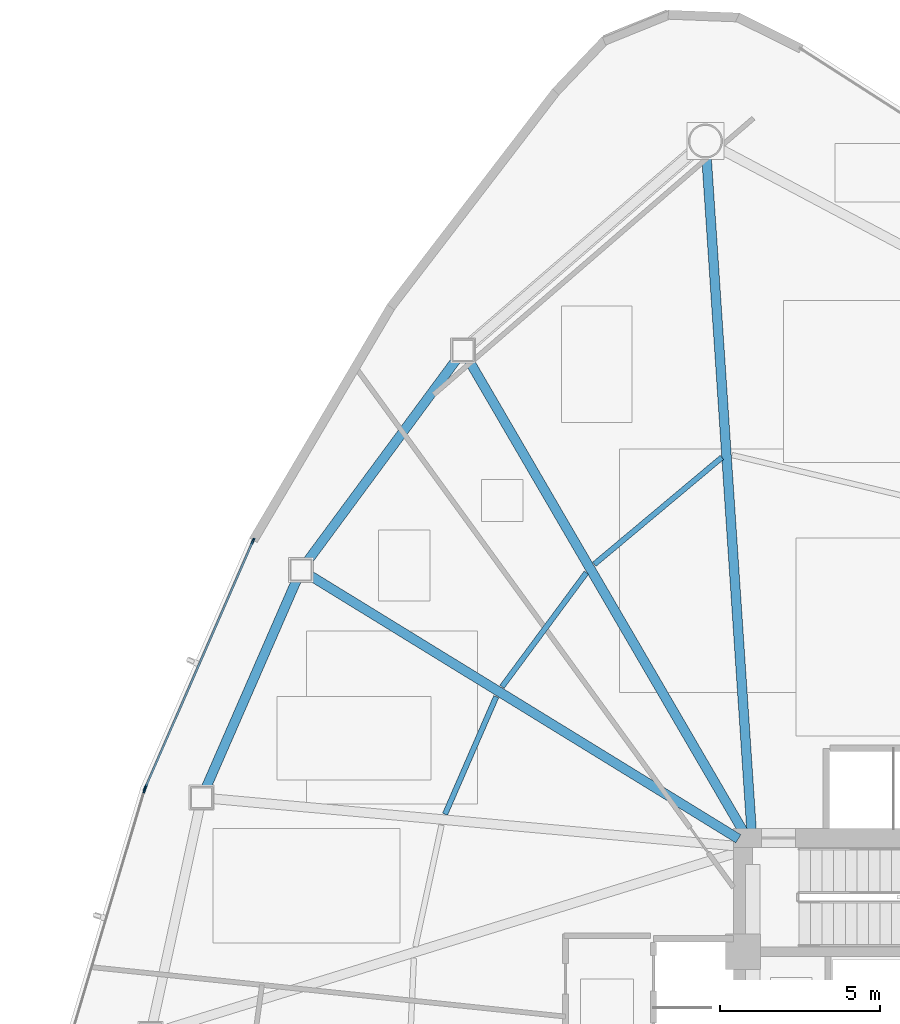
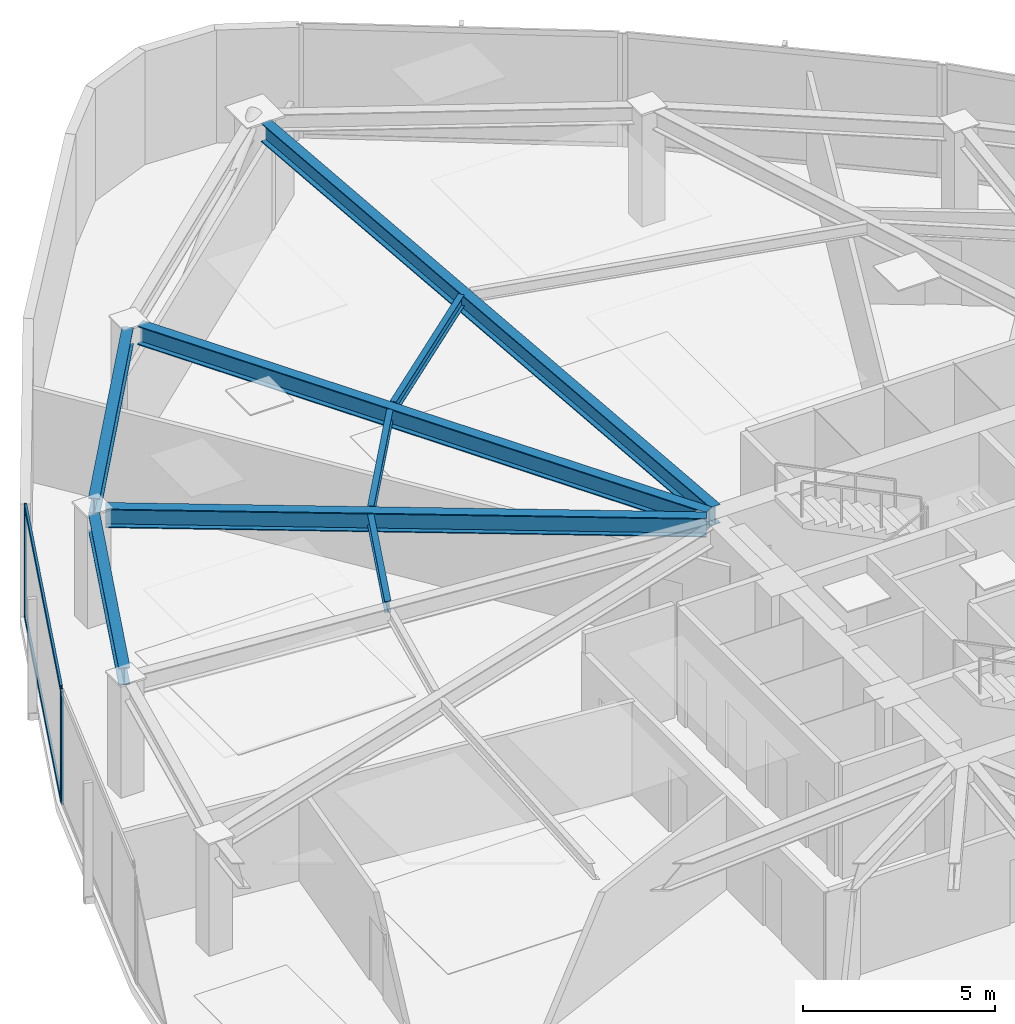
# One storey, part 7 of 17: 8 beams, 5 members, 2 elements without a shape of their own.
"""IFC4 building model written with IfcOpenShell, lengths in metres."""

from ifc_helpers import new_model, si_unit, direction, frame, origin, origin_2d, place, context, subcontext, project, spatial, hollow_rectangle, i_section, extrude, source, transform, mapped, material, layer, layer_set, material_profile, profile_set, type_object, type_shapes, element, aggregate, save


model = new_model("IFC4")

# Units and contexts
model_context = context("Model", 3, precision=1e-05, world=origin(), true_north=direction((0.0, 1.0)))
body_context = subcontext(model_context, "Body", "Model", "MODEL_VIEW")
ifc_project = project(units=[si_unit("LENGTHUNIT", "METRE"), si_unit("AREAUNIT", "SQUARE_METRE"), si_unit("VOLUMEUNIT", "CUBIC_METRE"), si_unit("PLANEANGLEUNIT", "RADIAN"), si_unit("MASSUNIT", "GRAM", prefix="KILO")], contexts=[model_context])

# Site, building, storey
site_placement = place(None, origin())
site = spatial("IfcSite", under=ifc_project, at=site_placement, CompositionType="ELEMENT")
building_placement = place(site_placement, origin())
building = spatial("IfcBuilding", under=site, at=building_placement, Name="Tavelor Broadcast Tower", CompositionType="ELEMENT")
storey_placement = place(building_placement, frame((0.0, 0.0, 66.60009765625)))
storey = spatial("IfcBuildingStorey", under=building, at=storey_placement, Name="L15", CompositionType="ELEMENT", Elevation=66.60009765625)

# Beams
ifc_material_1 = material(Name="Steel S355", Category="steel")
ifc_material_profile_1 = material_profile(ifc_material_1, i_section(OverallWidth=0.169921875, OverallDepth=0.360107421875, WebThickness=0.008056640625, FlangeThickness=0.0126953125, at=origin_2d()), Name="IPE 360")
ifc_profile_set_1 = profile_set([ifc_material_profile_1], Name="Steel S355")
beam_type_1 = type_object("IfcBeamType", Name="Composite Floor Joist T2 IPE 360", PredefinedType="JOIST", material=ifc_profile_set_1)
beam_1_placement = place(storey_placement, frame((42.437744140625, 63.38671875, 3.419921875), z_axis=(-0.766764124222, -0.641928950746, 0.0), x_axis=(0.641928950746, -0.766764124222, 0.0)))
element("IfcBeam", 1, at=beam_1_placement, inside=storey, type_object=beam_type_1, Name="L15 Secondary Composite Floor Joist 01", PredefinedType="JOIST", context=body_context, shape_type="SweptSolid", body=[
    extrude(i_section(OverallWidth=0.169921875, OverallDepth=0.360107421875, WebThickness=0.008056640625, FlangeThickness=0.0126953125, at=origin_2d()), origin(), (0.0, 0.0, 1.0), 5.1982421875),
])
beam_2_placement = place(storey_placement, frame((38.20556640625, 59.7880859375, 3.419921875), z_axis=(-0.594699209794, -0.803948288057, 0.0), x_axis=(0.803948288057, -0.594699209794, 0.0)))
element("IfcBeam", 2, at=beam_2_placement, inside=storey, type_object=beam_type_1, Name="L15 Secondary Composite Floor Joist 02", PredefinedType="JOIST", context=body_context, shape_type="SweptSolid", body=[
    extrude(i_section(OverallWidth=0.169921875, OverallDepth=0.360107421875, WebThickness=0.008056640625, FlangeThickness=0.0126953125, at=origin_2d()), origin(), (0.0, 0.0, 1.0), 4.432373046875),
])
beam_3_placement = place(storey_placement, frame((35.3896484375, 55.9130859375, 3.419921875), z_axis=(-0.399446150725, -0.916756659464, 0.0), x_axis=(0.916756659464, -0.399446150725, 0.0)))
element("IfcBeam", 3, at=beam_3_placement, inside=storey, type_object=beam_type_1, Name="L15 Secondary Composite Floor Joist 03", PredefinedType="JOIST", context=body_context, shape_type="SweptSolid", body=[
    extrude(i_section(OverallWidth=0.169921875, OverallDepth=0.360107421875, WebThickness=0.008056640625, FlangeThickness=0.0126953125, at=origin_2d()), origin(), (0.0, 0.0, 1.0), 4.00390625),
])
ifc_material_profile_2 = material_profile(ifc_material_1, i_section(OverallWidth=0.300048828125, OverallDepth=0.550048828125, WebThickness=0.014892578125, FlangeThickness=0.029052734375, at=origin_2d()), Name="HEB 550")
ifc_profile_set_2 = profile_set([ifc_material_profile_2], Name="Steel S355")
beam_type_2 = type_object("IfcBeamType", Name="Perimeter Spandrel Beam T2 HEB 550", PredefinedType="SPANDREL", material=ifc_profile_set_2)
beam_4_placement = place(storey_placement, frame((34.156494140625, 66.45751953125, 3.324951171875), z_axis=(-0.59411824878, -0.804377713805, 0.0), x_axis=(0.804377713805, -0.59411824878, 0.0)))
element("IfcBeam", 4, at=beam_4_placement, inside=storey, type_object=beam_type_2, Name="L15 Framed-Tube Ring Spandrel 02", PredefinedType="SPANDREL", context=body_context, shape_type="SweptSolid", body=[
    extrude(i_section(OverallWidth=0.300048828125, OverallDepth=0.550048828125, WebThickness=0.014892578125, FlangeThickness=0.029052734375, at=origin_2d()), origin(), (0.0, 0.0, 1.0), 7.8515625),
])
beam_5_placement = place(storey_placement, frame((29.157958984375, 59.5634765625, 3.324951171875), z_axis=(-0.399859236649, -0.916576560287, 0.0), x_axis=(0.916576560287, -0.399859236649, 0.0)))
element("IfcBeam", 5, at=beam_5_placement, inside=storey, type_object=beam_type_2, Name="L15 Framed-Tube Ring Spandrel 03", PredefinedType="SPANDREL", context=body_context, shape_type="SweptSolid", body=[
    extrude(i_section(OverallWidth=0.300048828125, OverallDepth=0.550048828125, WebThickness=0.014892578125, FlangeThickness=0.029052734375, at=origin_2d()), origin(), (0.0, 0.0, 1.0), 7.088623046875),
])
ifc_material_profile_3 = material_profile(ifc_material_1, i_section(OverallWidth=0.300048828125, OverallDepth=0.60009765625, WebThickness=0.015380859375, FlangeThickness=0.030029296875, at=origin_2d()), Name="HEB 600")
ifc_profile_set_3 = profile_set([ifc_material_profile_3], Name="Steel S355")
beam_type_3 = type_object("IfcBeamType", Name="Radial Floor Girder T2 HEB 600", PredefinedType="BEAM", material=ifc_profile_set_3)
beam_6_placement = place(storey_placement, frame((43.36474609375, 51.726806640625, 3.2998046875), z_axis=(-0.066782727419, 0.997767541724, 0.0), x_axis=(-0.997767541724, -0.066782727419, 0.0)))
element("IfcBeam", 6, at=beam_6_placement, inside=storey, type_object=beam_type_3, Name="L15 Radial Primary Floor Girder 01", PredefinedType="BEAM", context=body_context, shape_type="SweptSolid", body=[
    extrude(i_section(OverallWidth=0.300048828125, OverallDepth=0.60009765625, WebThickness=0.015380859375, FlangeThickness=0.030029296875, at=origin_2d()), origin(), (0.0, 0.0, 1.0), 21.075439453125),
])
beam_7_placement = place(storey_placement, frame((43.13427734375, 51.65625, 3.2998046875), z_axis=(-0.503292320279, 0.864116219237, 0.0), x_axis=(-0.864116219237, -0.503292320279, 0.0)))
element("IfcBeam", 7, at=beam_7_placement, inside=storey, type_object=beam_type_3, Name="L15 Radial Primary Floor Girder 02", PredefinedType="BEAM", context=body_context, shape_type="SweptSolid", body=[
    extrude(i_section(OverallWidth=0.300048828125, OverallDepth=0.60009765625, WebThickness=0.015380859375, FlangeThickness=0.030029296875, at=origin_2d()), origin(), (0.0, 0.0, 1.0), 17.105712890625),
])
beam_8_placement = place(storey_placement, frame((42.9501953125, 51.4765625, 3.2998046875), z_axis=(-0.851937509834, 0.523643465859, 0.0), x_axis=(-0.523643465859, -0.851937509834, 0.0)))
element("IfcBeam", 8, at=beam_8_placement, inside=storey, type_object=beam_type_3, Name="L15 Radial Primary Floor Girder 03", PredefinedType="BEAM", context=body_context, shape_type="SweptSolid", body=[
    extrude(i_section(OverallWidth=0.300048828125, OverallDepth=0.60009765625, WebThickness=0.015380859375, FlangeThickness=0.030029296875, at=origin_2d()), origin(), (0.0, 0.0, 1.0), 15.69580078125),
])

# Curtain wall, members
ifc_material_2 = material(Name="Architectural Anodized Aluminium", Category="aluminium")
ifc_layer = layer(ifc_material_2, 0.179931640625)
ifc_layer_set = layer_set([ifc_layer], Name="Architectural Anodized Aluminium")
curtain_wall_type = type_object("IfcCurtainWallType", Name="Tower Low-Zone Unitised Curtain Wall CW02", PredefinedType="NOTDEFINED", material=ifc_layer_set)
curtain_wall_1_placement = place(storey_placement, origin())
curtain_wall_1 = element("IfcCurtainWall", 9, at=curtain_wall_1_placement, inside=storey, type_object=curtain_wall_type, Name="L15 Curtain Wall CW02 Run 133", PredefinedType="NOTDEFINED")
ifc_material_profile_4 = material_profile(ifc_material_2, hollow_rectangle(XDim=0.06494140625, YDim=0.179931640625, WallThickness=0.02197265625, at=origin_2d()), Name="RHS 65x180x22")
ifc_profile_set_4 = profile_set([ifc_material_profile_4], Name="Architectural Anodized Aluminium")
member_type_1 = type_object("IfcMemberType", Name="CW02 Extruded Aluminium Mullion 65x180", PredefinedType="MULLION", material=ifc_profile_set_4)
shared_shape_1 = source(origin(), body_context, "Body", "SweptSolid", [
    extrude(hollow_rectangle(XDim=0.06494140625, YDim=0.179931640625, WallThickness=0.02197265625, at=origin_2d()), origin(), (0.0, 0.0, 1.0), 3.599853515625),
])
type_shapes(member_type_1, [shared_shape_1])
member_1_placement = place(storey_placement, frame((27.79150390625, 60.773193359375, 0.0), z_axis=(0.0, 0.0, 1.0), x_axis=(0.916537958742, -0.399947709313, 0.0)))
member_1 = element("IfcMember", 10, at=member_1_placement, type_object=member_type_1, Name="CW02 mullion 1", PredefinedType="MULLION", context=body_context, shape_type="MappedRepresentation", body=[
    mapped(shared_shape_1, transform((0.0, 0.0, 0.0), scale=1.0)),
])
member_2_placement = place(storey_placement, frame((24.437744140625, 53.08740234375, 0.0), z_axis=(0.0, 0.0, 1.0), x_axis=(0.916537958742, -0.399947709313, 0.0)))
member_2 = element("IfcMember", 11, at=member_2_placement, type_object=member_type_1, Name="CW02 mullion 2", PredefinedType="MULLION", context=body_context, shape_type="MappedRepresentation", body=[
    mapped(shared_shape_1, transform((0.0, 0.0, 0.0), scale=1.0)),
])

# Curtain wall, member
curtain_wall_2_placement = place(storey_placement, origin())
curtain_wall_2 = element("IfcCurtainWall", 12, at=curtain_wall_2_placement, inside=storey, type_object=curtain_wall_type, Name="L15 Curtain Wall CW02 Run 134", PredefinedType="NOTDEFINED")
member_3_placement = place(storey_placement, frame((24.4052734375, 52.99853515625, 0.0), z_axis=(0.0, 0.0, 1.0), x_axis=(0.958200680457, -0.286096934572, 0.0)))
member_3 = element("IfcMember", 13, at=member_3_placement, type_object=member_type_1, Name="CW02 mullion 1", PredefinedType="MULLION", context=body_context, shape_type="MappedRepresentation", body=[
    mapped(shared_shape_1, transform((0.0, 0.0, 0.0), scale=1.0)),
])
aggregate(curtain_wall_2, [member_3])

# Member
ifc_material_profile_5 = material_profile(ifc_material_2, hollow_rectangle(XDim=0.06494140625, YDim=0.179931640625, WallThickness=0.02197265625, at=origin_2d()), Name="RHS 65x180x22")
ifc_profile_set_5 = profile_set([ifc_material_profile_5], Name="Architectural Anodized Aluminium")
member_type_2 = type_object("IfcMemberType", Name="CW02 Extruded Aluminium Transom 65x180", PredefinedType="USERDEFINED", material=ifc_profile_set_5)
shared_shape_2 = source(origin(), body_context, "Body", "SweptSolid", [
    extrude(hollow_rectangle(XDim=0.06494140625, YDim=0.179931640625, WallThickness=0.02197265625, at=origin_2d()), origin(), (0.0, 0.0, 1.0), 8.32080078125),
])
type_shapes(member_type_2, [shared_shape_2])
member_4_placement = place(storey_placement, frame((27.778564453125, 60.743408203125, 0.032470703125), z_axis=(-0.399952074489, -0.916536053907, 0.0), x_axis=(0.916536053907, -0.399952074489, 0.0)))
member_4 = element("IfcMember", 14, at=member_4_placement, type_object=member_type_2, Name="CW02 transom 1.1", ObjectType="TRANSOM", PredefinedType="USERDEFINED", context=body_context, shape_type="MappedRepresentation", body=[
    mapped(shared_shape_2, transform((0.0, 0.0, 0.0), scale=1.0)),
])

member_5_placement = place(storey_placement, frame((27.778564453125, 60.743408203125, 3.5673828125), z_axis=(-0.399952074489, -0.916536053907, 0.0), x_axis=(0.916536053907, -0.399952074489, 0.0)))
member_5 = element("IfcMember", 15, at=member_5_placement, type_object=member_type_2, Name="CW02 transom 1.2", ObjectType="TRANSOM", PredefinedType="USERDEFINED", context=body_context, shape_type="MappedRepresentation", body=[
    mapped(shared_shape_2, transform((0.0, 0.0, 0.0), scale=1.0)),
])

aggregate(curtain_wall_1, [member_1, member_2, member_4, member_5])

save(model, "model.ifc")
